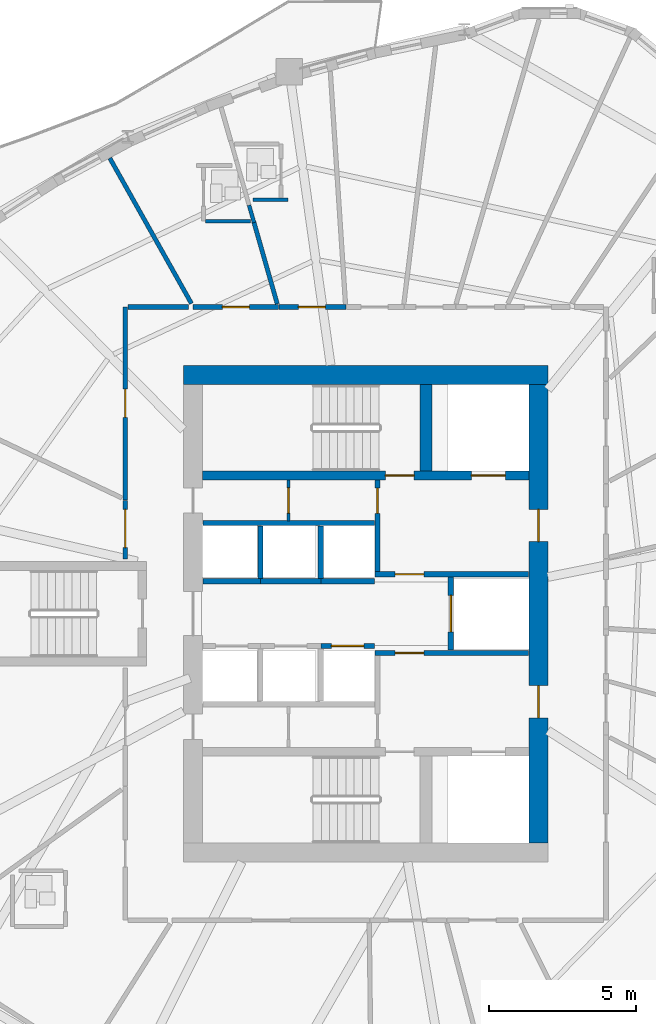
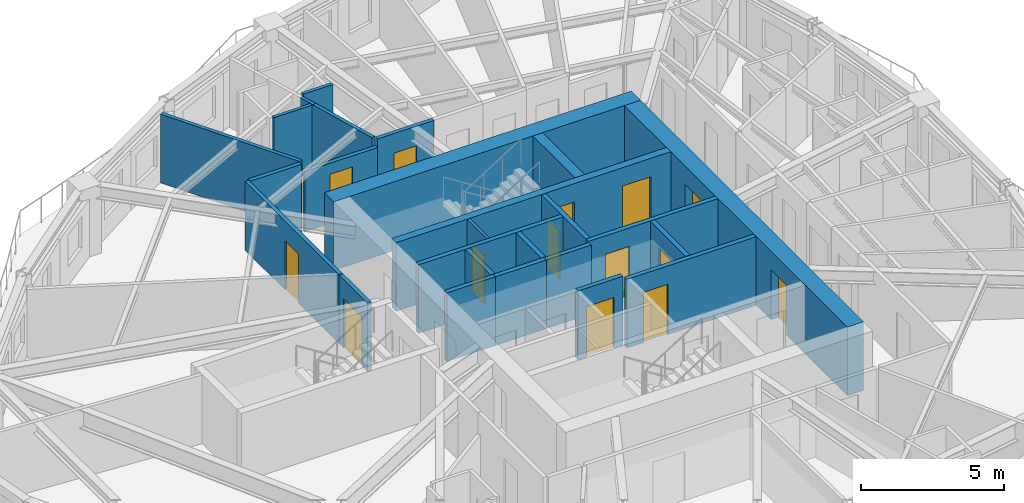
# One storey, part 8 of 17: 26 walls, 14 doors, 14 openings.
"""IFC4 building model written with IfcOpenShell, lengths in metres."""

from ifc_helpers import new_model, si_unit, direction, frame, frame_2d, origin, place, context, subcontext, project, spatial, rectangle, extrude, source, transform, mapped, material, layer, layer_set, type_object, element, fill, save


model = new_model("IFC4")

# Units and contexts
model_context = context("Model", 3, precision=1e-05, world=origin(), true_north=direction((0.0, 1.0)))
body_context = subcontext(model_context, "Body", "Model", "MODEL_VIEW")
ifc_project = project(units=[si_unit("LENGTHUNIT", "METRE"), si_unit("AREAUNIT", "SQUARE_METRE"), si_unit("VOLUMEUNIT", "CUBIC_METRE"), si_unit("PLANEANGLEUNIT", "RADIAN"), si_unit("MASSUNIT", "GRAM", prefix="KILO")], contexts=[model_context])

# Site, building, storey
site_placement = place(None, origin())
site = spatial("IfcSite", under=ifc_project, at=site_placement, CompositionType="ELEMENT")
building_placement = place(site_placement, origin())
building = spatial("IfcBuilding", under=site, at=building_placement, Name="Qafzar Sky-Pleat Residences", CompositionType="ELEMENT")
storey_placement = place(building_placement, frame((0.0, 0.0, 112.0)))
storey = spatial("IfcBuildingStorey", under=building, at=storey_placement, Name="L33", CompositionType="ELEMENT", Elevation=112.0)

# Wall, opening, door
ifc_material_1 = material(Name="Acoustic gypsum plasterboard partition", Category="gypsum")
ifc_layer_1 = layer(ifc_material_1, 0.159912109375)
ifc_layer_set_1 = layer_set([ifc_layer_1], Name="Acoustic gypsum plasterboard partition")
wall_type_1 = type_object("IfcWallType", Name="PART-COR-160", PredefinedType="PARTITIONING", material=ifc_layer_set_1)
wall_1_placement = place(storey_placement, frame((22.169921875, 29.864990234375, 0.0), z_axis=(0.0, 0.0, 1.0), x_axis=(0.0, 1.0, 0.0)))
wall_1 = element("IfcWall", 1, at=wall_1_placement, inside=storey, type_object=wall_type_1, Name="L33 Partition Wall PART-L33-PW-003", PredefinedType="PARTITIONING", context=body_context, shape_type="SweptSolid", body=[
    extrude(rectangle(XDim=6.56494140625, YDim=0.159912109375, at=frame_2d((3.282470703125, 0.0))), origin(), (0.0, 0.0, 1.0), 2.93505859375),
])
opening_1_placement = place(wall_1_placement, frame((2.810546875, 0.0, 0.0)))
opening_1 = element("IfcOpeningElement", 2, at=opening_1_placement, cuts=wall_1, Name="Opening ID-06", PredefinedType="OPENING", context=body_context, shape_type="SweptSolid", body=[
    extrude(rectangle(XDim=0.9599609375, YDim=2.10009765625, at=frame_2d((0.47998046875, 1.050048828125))), frame((0.0, 0.08984375, 0.0), z_axis=(0.0, -1.0, 0.0), x_axis=(1.0, 0.0, 0.0)), (0.0, 0.0, 1.0), 0.179931640625),
])
ifc_material_2 = material(Name="Timber-faced fire door", Category="wood")
door_type_1 = type_object("IfcDoorType", Name="DR-STD-960", OperationType="NOTDEFINED", PredefinedType="DOOR", material=ifc_material_2)
shared_shape_1 = source(origin(), body_context, "Body", "SweptSolid", [
    extrude(rectangle(XDim=0.9599609375, YDim=2.10009765625, at=frame_2d((0.47998046875, 1.050048828125))), frame((0.0, 0.02490234375, 0.0), z_axis=(0.0, -1.0, 0.0), x_axis=(1.0, 0.0, 0.0)), (0.0, 0.0, 1.0), 0.050048828125),
])
door_1_placement = place(opening_1_placement, origin())
door_1 = element("IfcDoor", 3, at=door_1_placement, inside=storey, type_object=door_type_1, Name="L33 Reading Library Door", OperationType="SINGLE_SWING_RIGHT", OverallHeight=2.10009765625, OverallWidth=0.9599609375, PredefinedType="DOOR", context=body_context, shape_type="MappedRepresentation", body=[
    mapped(shared_shape_1, transform((0.0, 0.0, 0.0), x_axis=(1.0, 0.0, 0.0), y_axis=(0.0, 1.0, 0.0), z_axis=(0.0, 0.0, 1.0), scale=1.0)),
])
fill(opening_1, door_1)

wall_2_placement = place(storey_placement, frame((24.47412109375, 36.429931640625, 0.0), z_axis=(0.0, 0.0, 1.0), x_axis=(1.0, 0.0, 0.0)))
wall_2 = element("IfcWall", 4, at=wall_2_placement, inside=storey, type_object=wall_type_1, Name="L33 Partition Wall PART-L33-PW-009", PredefinedType="PARTITIONING", context=body_context, shape_type="SweptSolid", body=[
    extrude(rectangle(XDim=2.913818359375, YDim=0.159912109375, at=frame_2d((1.45703125, 0.0))), origin(), (0.0, 0.0, 1.0), 2.572998046875),
])
opening_2_placement = place(wall_2_placement, frame((0.99755859375, 0.0, 0.0)))
opening_2 = element("IfcOpeningElement", 5, at=opening_2_placement, cuts=wall_2, Name="Opening ID-04", PredefinedType="OPENING", context=body_context, shape_type="SweptSolid", body=[
    extrude(rectangle(XDim=0.919921875, YDim=2.10009765625, at=frame_2d((0.4599609375, 1.050048828125))), frame((0.0, 0.08984375, 0.0), z_axis=(0.0, -1.0, 0.0), x_axis=(1.0, 0.0, 0.0)), (0.0, 0.0, 1.0), 0.179931640625),
])
door_type_2 = type_object("IfcDoorType", Name="DR-BED-920", OperationType="NOTDEFINED", PredefinedType="DOOR", material=ifc_material_2)
shared_shape_2 = source(origin(), body_context, "Body", "SweptSolid", [
    extrude(rectangle(XDim=0.919921875, YDim=2.10009765625, at=frame_2d((0.4599609375, 1.050048828125))), frame((0.0, 0.02490234375, 0.0), z_axis=(0.0, -1.0, 0.0), x_axis=(1.0, 0.0, 0.0)), (0.0, 0.0, 1.0), 0.050048828125),
])
door_2_placement = place(opening_2_placement, origin())
door_2 = element("IfcDoor", 6, at=door_2_placement, inside=storey, type_object=door_type_2, Name="L33 Co-Living Bedroom 5 Door", OperationType="SINGLE_SWING_LEFT", OverallHeight=2.10009765625, OverallWidth=0.919921875, PredefinedType="DOOR", context=body_context, shape_type="MappedRepresentation", body=[
    mapped(shared_shape_2, transform((0.0, 0.0, 0.0), x_axis=(1.0, 0.0, 0.0), y_axis=(0.0, 1.0, 0.0), z_axis=(0.0, 0.0, 1.0), scale=1.0)),
])
fill(opening_2, door_2)

wall_3_placement = place(storey_placement, frame((27.403076171875, 36.429931640625, 0.0), z_axis=(0.0, 0.0, 1.0), x_axis=(1.0, 0.0, 0.0)))
wall_3 = element("IfcWall", 7, at=wall_3_placement, inside=storey, type_object=wall_type_1, Name="L33 Partition Wall PART-L33-PW-015", PredefinedType="PARTITIONING", context=body_context, shape_type="SweptSolid", body=[
    extrude(rectangle(XDim=2.281982421875, YDim=0.159912109375, at=frame_2d((1.14111328125, 0.0))), origin(), (0.0, 0.0, 1.0), 2.93505859375),
])
opening_3_placement = place(wall_3_placement, frame((0.657958984375, 0.0, 0.0)))
opening_3 = element("IfcOpeningElement", 8, at=opening_3_placement, cuts=wall_3, Name="Opening ID-04", PredefinedType="OPENING", context=body_context, shape_type="SweptSolid", body=[
    extrude(rectangle(XDim=0.919921875, YDim=2.10009765625, at=frame_2d((0.4599609375, 1.050048828125))), frame((0.0, 0.08984375, 0.0), z_axis=(0.0, -1.0, 0.0), x_axis=(1.0, 0.0, 0.0)), (0.0, 0.0, 1.0), 0.179931640625),
])
door_3_placement = place(opening_3_placement, origin())
door_3 = element("IfcDoor", 9, at=door_3_placement, inside=storey, type_object=door_type_2, Name="L33 Co-Living Bedroom 6 Door", OperationType="SINGLE_SWING_RIGHT", OverallHeight=2.10009765625, OverallWidth=0.919921875, PredefinedType="DOOR", context=body_context, shape_type="MappedRepresentation", body=[
    mapped(shared_shape_2, transform((0.0, 0.0, 0.0), x_axis=(1.0, 0.0, 0.0), y_axis=(0.0, 1.0, 0.0), z_axis=(0.0, 0.0, 1.0), scale=1.0)),
])
fill(opening_3, door_3)

wall_4_placement = place(storey_placement, frame((22.169921875, 27.85009765625, 0.0), z_axis=(0.0, 0.0, 1.0), x_axis=(0.0, 1.0, 0.0)))
wall_4 = element("IfcWall", 10, at=wall_4_placement, inside=storey, type_object=wall_type_1, Name="L33 Partition Wall PART-L33-PW-017", PredefinedType="PARTITIONING", context=body_context, shape_type="SweptSolid", body=[
    extrude(rectangle(XDim=2.0, YDim=0.159912109375, at=frame_2d((1.0, 0.0))), origin(), (0.0, 0.0, 1.0), 2.93505859375),
])
opening_4_placement = place(wall_4_placement, frame((0.39501953125, 0.0, 0.0)))
opening_4 = element("IfcOpeningElement", 11, at=opening_4_placement, cuts=wall_4, Name="Opening ID-05", PredefinedType="OPENING", context=body_context, shape_type="SweptSolid", body=[
    extrude(rectangle(XDim=1.300048828125, YDim=2.10009765625, at=frame_2d((0.64990234375, 1.050048828125))), frame((0.0, 0.08984375, 0.0), z_axis=(0.0, -1.0, 0.0), x_axis=(1.0, 0.0, 0.0)), (0.0, 0.0, 1.0), 0.179931640625),
])
door_type_3 = type_object("IfcDoorType", Name="DR-LNG-1300", OperationType="DOUBLE_DOOR_SINGLE_SWING", PredefinedType="DOOR", material=ifc_material_2)
shared_shape_3 = source(origin(), body_context, "Body", "SweptSolid", [
    extrude(rectangle(XDim=1.300048828125, YDim=2.10009765625, at=frame_2d((0.64990234375, 1.050048828125))), frame((0.0, 0.02490234375, 0.0), z_axis=(0.0, -1.0, 0.0), x_axis=(1.0, 0.0, 0.0)), (0.0, 0.0, 1.0), 0.050048828125),
])
door_4_placement = place(opening_4_placement, origin())
door_4 = element("IfcDoor", 12, at=door_4_placement, inside=storey, type_object=door_type_3, Name="L33 Tutorial Huddle Room Door", OperationType="DOUBLE_DOOR_SINGLE_SWING", OverallHeight=2.10009765625, OverallWidth=1.300048828125, PredefinedType="DOOR", context=body_context, shape_type="MappedRepresentation", body=[
    mapped(shared_shape_3, transform((0.0, 0.0, 0.0), x_axis=(1.0, 0.0, 0.0), y_axis=(0.0, 1.0, 0.0), z_axis=(0.0, 0.0, 1.0), scale=1.0)),
])
fill(opening_4, door_4)

# Wall
wall_5_placement = place(storey_placement, frame((22.258056640625, 36.429931640625, 0.0), z_axis=(0.0, 0.0, 1.0), x_axis=(1.0, 0.0, 0.0)))
element("IfcWall", 13, at=wall_5_placement, inside=storey, type_object=wall_type_1, Name="L33 Partition Wall PART-L33-PW-054", PredefinedType="PARTITIONING", context=body_context, shape_type="SweptSolid", body=[
    extrude(rectangle(XDim=2.06494140625, YDim=0.159912109375, at=frame_2d((1.032470703125, 0.0))), origin(), (0.0, 0.0, 1.0), 2.93505859375),
])

# Wall, opening, door
ifc_material_3 = material(Name="Concrete blockwork partition", Category="masonry")
ifc_layer_2 = layer(ifc_material_3, 0.179931640625)
ifc_layer_set_2 = layer_set([ifc_layer_2], Name="Concrete blockwork partition")
wall_type_2 = type_object("IfcWallType", Name="PART-SHAFT-180", PredefinedType="PARTITIONING", material=ifc_layer_set_2)
wall_6_placement = place(storey_placement, frame((30.669921875, 24.659912109375, 0.0), z_axis=(0.0, 0.0, 1.0), x_axis=(1.0, 0.0, 0.0)))
wall_6 = element("IfcWall", 14, at=wall_6_placement, inside=storey, type_object=wall_type_2, Name="L33 Partition Wall PART-L33-FFL1-N", PredefinedType="PARTITIONING", context=body_context, shape_type="SweptSolid", body=[
    extrude(rectangle(XDim=5.219970703125, YDim=0.179931640625, at=frame_2d((2.60986328125, 0.0))), origin(), (0.0, 0.0, 1.0), 2.93505859375),
])
opening_5_placement = place(wall_6_placement, frame((0.679931640625, 0.0, 0.0)))
opening_5 = element("IfcOpeningElement", 15, at=opening_5_placement, cuts=wall_6, Name="Opening ID-01", PredefinedType="OPENING", context=body_context, shape_type="SweptSolid", body=[
    extrude(rectangle(XDim=0.97998046875, YDim=2.14990234375, at=frame_2d((0.489990234375, 1.074951171875))), frame((0.0, 0.10009765625, 0.0), z_axis=(0.0, -1.0, 0.0), x_axis=(1.0, 0.0, 0.0)), (0.0, 0.0, 1.0), 0.199951171875),
])
door_type_4 = type_object("IfcDoorType", Name="DR-STAIR-980", OperationType="NOTDEFINED", PredefinedType="DOOR", material=ifc_material_2)
shared_shape_4 = source(origin(), body_context, "Body", "SweptSolid", [
    extrude(rectangle(XDim=0.97998046875, YDim=2.14990234375, at=frame_2d((0.489990234375, 1.074951171875))), frame((0.0, 0.02490234375, 0.0), z_axis=(0.0, -1.0, 0.0), x_axis=(1.0, 0.0, 0.0)), (0.0, 0.0, 1.0), 0.050048828125),
])
door_5_placement = place(opening_5_placement, origin())
door_5 = element("IfcDoor", 16, at=door_5_placement, inside=storey, type_object=door_type_4, Name="L33 Lift Lobby to South Firefighting Lobby Door", OperationType="SINGLE_SWING_LEFT", OverallHeight=2.14990234375, OverallWidth=0.97998046875, PredefinedType="DOOR", context=body_context, shape_type="MappedRepresentation", body=[
    mapped(shared_shape_4, transform((0.0, 0.0, 0.0), x_axis=(1.0, 0.0, 0.0), y_axis=(0.0, 1.0, 0.0), z_axis=(0.0, 0.0, 1.0), scale=1.0)),
])
fill(opening_5, door_5)

wall_7_placement = place(storey_placement, frame((30.75, 27.429931640625, 0.0), z_axis=(0.0, 0.0, 1.0), x_axis=(0.0, 1.0, 0.0)))
wall_7 = element("IfcWall", 17, at=wall_7_placement, inside=storey, type_object=wall_type_2, Name="L33 Partition Wall PART-L33-FFL2-W", PredefinedType="PARTITIONING", context=body_context, shape_type="SweptSolid", body=[
    extrude(rectangle(XDim=3.110107421875, YDim=0.179931640625, at=frame_2d((1.55517578125, 0.0))), origin(), (0.0, 0.0, 1.0), 2.93505859375),
])
opening_6_placement = place(wall_7_placement, frame((1.97998046875, 0.0, 0.0)))
opening_6 = element("IfcOpeningElement", 18, at=opening_6_placement, cuts=wall_7, Name="Opening ID-09", PredefinedType="OPENING", context=body_context, shape_type="SweptSolid", body=[
    extrude(rectangle(XDim=0.860107421875, YDim=2.050048828125, at=frame_2d((0.43017578125, 1.02490234375))), frame((0.0, 0.10009765625, 0.0), z_axis=(0.0, -1.0, 0.0), x_axis=(1.0, 0.0, 0.0)), (0.0, 0.0, 1.0), 0.199951171875),
])
door_type_5 = type_object("IfcDoorType", Name="DR-SVC-860", OperationType="NOTDEFINED", PredefinedType="DOOR", material=ifc_material_2)
shared_shape_5 = source(origin(), body_context, "Body", "SweptSolid", [
    extrude(rectangle(XDim=0.860107421875, YDim=2.050048828125, at=frame_2d((0.43017578125, 1.02490234375))), frame((0.0, 0.02490234375, 0.0), z_axis=(0.0, -1.0, 0.0), x_axis=(1.0, 0.0, 0.0)), (0.0, 0.0, 1.0), 0.050048828125),
])
door_6_placement = place(opening_6_placement, origin())
door_6 = element("IfcDoor", 19, at=door_6_placement, inside=storey, type_object=door_type_5, Name="L33 North Core Cupboard Door", OperationType="SINGLE_SWING_RIGHT", OverallHeight=2.050048828125, OverallWidth=0.860107421875, PredefinedType="DOOR", context=body_context, shape_type="MappedRepresentation", body=[
    mapped(shared_shape_5, transform((0.0, 0.0, 0.0), x_axis=(1.0, 0.0, 0.0), y_axis=(0.0, 1.0, 0.0), z_axis=(0.0, 0.0, 1.0), scale=1.0)),
])
fill(opening_6, door_6)

wall_8_placement = place(storey_placement, frame((30.669921875, 27.340087890625, 0.0), z_axis=(0.0, 0.0, 1.0), x_axis=(1.0, 0.0, 0.0)))
wall_8 = element("IfcWall", 20, at=wall_8_placement, inside=storey, type_object=wall_type_2, Name="L33 Partition Wall PART-L33-FFL2-S", PredefinedType="PARTITIONING", context=body_context, shape_type="SweptSolid", body=[
    extrude(rectangle(XDim=5.219970703125, YDim=0.179931640625, at=frame_2d((2.60986328125, 0.0))), origin(), (0.0, 0.0, 1.0), 2.93505859375),
])
opening_7_placement = place(wall_8_placement, frame((0.679931640625, 0.0, 0.0)))
opening_7 = element("IfcOpeningElement", 21, at=opening_7_placement, cuts=wall_8, Name="Opening ID-01", PredefinedType="OPENING", context=body_context, shape_type="SweptSolid", body=[
    extrude(rectangle(XDim=0.97998046875, YDim=2.14990234375, at=frame_2d((0.489990234375, 1.074951171875))), frame((0.0, 0.10009765625, 0.0), z_axis=(0.0, -1.0, 0.0), x_axis=(1.0, 0.0, 0.0)), (0.0, 0.0, 1.0), 0.199951171875),
])
door_7_placement = place(opening_7_placement, origin())
door_7 = element("IfcDoor", 22, at=door_7_placement, inside=storey, type_object=door_type_4, Name="L33 Lift Lobby to North Firefighting Lobby Door", OperationType="SINGLE_SWING_LEFT", OverallHeight=2.14990234375, OverallWidth=0.97998046875, PredefinedType="DOOR", context=body_context, shape_type="MappedRepresentation", body=[
    mapped(shared_shape_4, transform((0.0, 0.0, 0.0), x_axis=(1.0, 0.0, 0.0), y_axis=(0.0, 1.0, 0.0), z_axis=(0.0, 0.0, 1.0), scale=1.0)),
])
fill(opening_7, door_7)

wall_9_placement = place(storey_placement, frame((33.25, 24.760009765625, 0.0), z_axis=(0.0, 0.0, 1.0), x_axis=(0.0, 1.0, 0.0)))
wall_9 = element("IfcWall", 23, at=wall_9_placement, inside=storey, type_object=wall_type_2, Name="L33 Partition Wall PART-L33-SV1-W", PredefinedType="PARTITIONING", context=body_context, shape_type="SweptSolid", body=[
    extrude(rectangle(XDim=2.47998046875, YDim=0.179931640625, at=frame_2d((1.239990234375, 0.0))), origin(), (0.0, 0.0, 1.0), 2.93505859375),
])
opening_8_placement = place(wall_9_placement, frame((0.614990234375, 0.0, 0.0)))
opening_8 = element("IfcOpeningElement", 24, at=opening_8_placement, cuts=wall_9, Name="Opening LD-03", PredefinedType="OPENING", context=body_context, shape_type="SweptSolid", body=[
    extrude(rectangle(XDim=1.25, YDim=2.14990234375, at=frame_2d((0.625, 1.074951171875))), frame((0.0, 0.10009765625, 0.0), z_axis=(0.0, -1.0, 0.0), x_axis=(1.0, 0.0, 0.0)), (0.0, 0.0, 1.0), 0.199951171875),
])
ifc_material_4 = material(Name="Stainless steel sliding landing door", Category="steel")
door_type_6 = type_object("IfcDoorType", Name="DR-LIFT-SV", OperationType="DOUBLE_DOOR_SLIDING", PredefinedType="DOOR", material=ifc_material_4)
shared_shape_6 = source(origin(), body_context, "Body", "SweptSolid", [
    extrude(rectangle(XDim=1.25, YDim=2.14990234375, at=frame_2d((0.625, 1.074951171875))), frame((0.0, 0.02490234375, 0.0), z_axis=(0.0, -1.0, 0.0), x_axis=(1.0, 0.0, 0.0)), (0.0, 0.0, 1.0), 0.050048828125),
])
door_8_placement = place(opening_8_placement, origin())
door_8 = element("IfcDoor", 25, at=door_8_placement, inside=storey, type_object=door_type_6, Name="L33 Service Lift SV1 Landing Door", OperationType="DOUBLE_DOOR_SLIDING", OverallHeight=2.14990234375, OverallWidth=1.25, PredefinedType="DOOR", context=body_context, shape_type="MappedRepresentation", body=[
    mapped(shared_shape_6, transform((0.0, 0.0, 0.0), x_axis=(1.0, 0.0, 0.0), y_axis=(0.0, 1.0, 0.0), z_axis=(0.0, 0.0, 1.0), scale=1.0)),
])
fill(opening_8, door_8)

wall_10_placement = place(storey_placement, frame((28.824951171875, 24.89990234375, 0.0), z_axis=(0.0, 0.0, 1.0), x_axis=(1.0, 0.0, 0.0)))
wall_10 = element("IfcWall", 26, at=wall_10_placement, inside=storey, type_object=wall_type_2, Name="L33 Partition Wall PART-L33-P3-N", PredefinedType="PARTITIONING", context=body_context, shape_type="SweptSolid", body=[
    extrude(rectangle(XDim=1.824951171875, YDim=0.179931640625, at=frame_2d((0.91259765625, 0.0))), origin(), (0.0, 0.0, 1.0), 2.93505859375),
])
opening_9_placement = place(wall_10_placement, frame((0.362548828125, 0.0, 0.0)))
opening_9 = element("IfcOpeningElement", 27, at=opening_9_placement, cuts=wall_10, Name="Opening LD-01", PredefinedType="OPENING", context=body_context, shape_type="SweptSolid", body=[
    extrude(rectangle(XDim=1.10009765625, YDim=2.14990234375, at=frame_2d((0.550048828125, 1.074951171875))), frame((0.0, 0.10009765625, 0.0), z_axis=(0.0, -1.0, 0.0), x_axis=(1.0, 0.0, 0.0)), (0.0, 0.0, 1.0), 0.199951171875),
])
door_type_7 = type_object("IfcDoorType", Name="DR-LIFT-P", OperationType="DOUBLE_DOOR_SLIDING", PredefinedType="DOOR", material=ifc_material_4)
shared_shape_7 = source(origin(), body_context, "Body", "SweptSolid", [
    extrude(rectangle(XDim=1.10009765625, YDim=2.14990234375, at=frame_2d((0.550048828125, 1.074951171875))), frame((0.0, 0.02490234375, 0.0), z_axis=(0.0, -1.0, 0.0), x_axis=(1.0, 0.0, 0.0)), (0.0, 0.0, 1.0), 0.050048828125),
])
door_9_placement = place(opening_9_placement, origin())
door_9 = element("IfcDoor", 28, at=door_9_placement, inside=storey, type_object=door_type_7, Name="L33 Passenger Lift P3 Landing Door", OperationType="DOUBLE_DOOR_SLIDING", OverallHeight=2.14990234375, OverallWidth=1.10009765625, PredefinedType="DOOR", context=body_context, shape_type="MappedRepresentation", body=[
    mapped(shared_shape_7, transform((0.0, 0.0, 0.0), x_axis=(1.0, 0.0, 0.0), y_axis=(0.0, 1.0, 0.0), z_axis=(0.0, 0.0, 1.0), scale=1.0)),
])
fill(opening_9, door_9)

# Walls
wall_11_placement = place(storey_placement, frame((24.81005859375, 29.080078125, 0.0), z_axis=(0.0, 0.0, 1.0), x_axis=(1.0, 0.0, 0.0)))
element("IfcWall", 29, at=wall_11_placement, inside=storey, type_object=wall_type_2, Name="L33 Partition Wall PART-L33-P46-N", PredefinedType="PARTITIONING", context=body_context, shape_type="SweptSolid", body=[
    extrude(rectangle(XDim=5.83984375, YDim=0.179931640625, at=frame_2d((2.919921875, 0.0))), origin(), (0.0, 0.0, 1.0), 2.93505859375),
])
wall_12_placement = place(storey_placement, frame((24.81005859375, 27.10009765625, 0.0), z_axis=(0.0, 0.0, 1.0), x_axis=(1.0, 0.0, 0.0)))
element("IfcWall", 30, at=wall_12_placement, inside=storey, type_object=wall_type_2, Name="L33 Partition Wall PART-L33-P4-S", PredefinedType="PARTITIONING", context=body_context, shape_type="SweptSolid", body=[
    extrude(rectangle(XDim=1.96484375, YDim=0.179931640625, at=frame_2d((0.982421875, 0.0))), origin(), (0.0, 0.0, 1.0), 2.93505859375),
])
wall_13_placement = place(storey_placement, frame((26.77490234375, 27.10009765625, 0.0), z_axis=(0.0, 0.0, 1.0), x_axis=(1.0, 0.0, 0.0)))
element("IfcWall", 31, at=wall_13_placement, inside=storey, type_object=wall_type_2, Name="L33 Partition Wall PART-L33-P5-S", PredefinedType="PARTITIONING", context=body_context, shape_type="SweptSolid", body=[
    extrude(rectangle(XDim=2.050048828125, YDim=0.179931640625, at=frame_2d((1.02490234375, 0.0))), origin(), (0.0, 0.0, 1.0), 2.93505859375),
])
wall_14_placement = place(storey_placement, frame((26.77490234375, 27.199951171875, 0.0), z_axis=(0.0, 0.0, 1.0), x_axis=(0.0, 1.0, 0.0)))
element("IfcWall", 32, at=wall_14_placement, inside=storey, type_object=wall_type_2, Name="L33 Partition Wall PART-L33-P46-DIV-1", PredefinedType="PARTITIONING", context=body_context, shape_type="SweptSolid", body=[
    extrude(rectangle(XDim=1.780029296875, YDim=0.179931640625, at=frame_2d((0.89013671875, 0.0))), origin(), (0.0, 0.0, 1.0), 2.93505859375),
])
wall_15_placement = place(storey_placement, frame((28.824951171875, 27.10009765625, 0.0), z_axis=(0.0, 0.0, 1.0), x_axis=(1.0, 0.0, 0.0)))
element("IfcWall", 33, at=wall_15_placement, inside=storey, type_object=wall_type_2, Name="L33 Partition Wall PART-L33-P6-S", PredefinedType="PARTITIONING", context=body_context, shape_type="SweptSolid", body=[
    extrude(rectangle(XDim=1.824951171875, YDim=0.179931640625, at=frame_2d((0.91259765625, 0.0))), origin(), (0.0, 0.0, 1.0), 2.93505859375),
])
wall_16_placement = place(storey_placement, frame((28.824951171875, 27.199951171875, 0.0), z_axis=(0.0, 0.0, 1.0), x_axis=(0.0, 1.0, 0.0)))
element("IfcWall", 34, at=wall_16_placement, inside=storey, type_object=wall_type_2, Name="L33 Partition Wall PART-L33-P46-DIV-2", PredefinedType="PARTITIONING", context=body_context, shape_type="SweptSolid", body=[
    extrude(rectangle(XDim=1.780029296875, YDim=0.179931640625, at=frame_2d((0.89013671875, 0.0))), origin(), (0.0, 0.0, 1.0), 2.93505859375),
])

# Wall, opening, door
ifc_material_5 = material(Name="Gypsum plasterboard partition", Category="gypsum")
ifc_layer_3 = layer(ifc_material_5, 0.114990234375)
ifc_layer_set_3 = layer_set([ifc_layer_3], Name="Gypsum plasterboard partition")
wall_type_3 = type_object("IfcWallType", Name="PART-SVC-115", PredefinedType="PARTITIONING", material=ifc_layer_set_3)
wall_17_placement = place(storey_placement, frame((27.72509765625, 29.159912109375, 0.0), z_axis=(0.0, 0.0, 1.0), x_axis=(0.0, 1.0, 0.0)))
wall_17 = element("IfcWall", 35, at=wall_17_placement, inside=storey, type_object=wall_type_3, Name="L33 Partition Wall PART-L33-KB-NW", PredefinedType="PARTITIONING", context=body_context, shape_type="SweptSolid", body=[
    extrude(rectangle(XDim=1.380126953125, YDim=0.114990234375, at=frame_2d((0.68994140625, 0.0))), origin(), (0.0, 0.0, 1.0), 2.93505859375),
])
opening_10_placement = place(wall_17_placement, frame((0.260009765625, 0.0, 0.0)))
opening_10 = element("IfcOpeningElement", 36, at=opening_10_placement, cuts=wall_17, Name="Opening ID-09", PredefinedType="OPENING", context=body_context, shape_type="SweptSolid", body=[
    extrude(rectangle(XDim=0.860107421875, YDim=2.050048828125, at=frame_2d((0.43017578125, 1.02490234375))), frame((0.0, 0.0673828125, 0.0), z_axis=(0.0, -1.0, 0.0), x_axis=(1.0, 0.0, 0.0)), (0.0, 0.0, 1.0), 0.135009765625),
])
door_10_placement = place(opening_10_placement, origin())
door_10 = element("IfcDoor", 37, at=door_10_placement, inside=storey, type_object=door_type_5, Name="L33 IT Cupboard Door", OperationType="SINGLE_SWING_LEFT", OverallHeight=2.050048828125, OverallWidth=0.860107421875, PredefinedType="DOOR", context=body_context, shape_type="MappedRepresentation", body=[
    mapped(shared_shape_5, transform((0.0, 0.0, 0.0), x_axis=(1.0, 0.0, 0.0), y_axis=(0.0, 1.0, 0.0), z_axis=(0.0, 0.0, 1.0), scale=1.0)),
])
fill(opening_10, door_10)

# Walls
ifc_layer_4 = layer(ifc_material_1, 0.14501953125)
ifc_layer_set_4 = layer_set([ifc_layer_4], Name="Acoustic gypsum plasterboard partition")
wall_type_4 = type_object("IfcWallType", Name="PART-UNIT-145", PredefinedType="PARTITIONING", material=ifc_layer_set_4)
wall_18_placement = place(storey_placement, frame((21.645263671875, 41.49658203125, 0.0), z_axis=(0.0, 0.0, 1.0), x_axis=(0.489699005063, -0.871891555436, 0.0)))
element("IfcWall", 38, at=wall_18_placement, inside=storey, type_object=wall_type_4, Name="L33 Partition Wall PART-L33-PW-043", PredefinedType="PARTITIONING", context=body_context, shape_type="SweptSolid", body=[
    extrude(rectangle(XDim=5.670654296875, YDim=0.14501953125, at=frame_2d((2.83544921875, 0.0))), origin(), (0.0, 0.0, 1.0), 2.93505859375),
])
wall_19_placement = place(storey_placement, frame((26.5390625, 39.35107421875, 0.0), z_axis=(0.0, 0.0, 1.0), x_axis=(0.274214096408, -0.961668669205, 0.0)))
element("IfcWall", 39, at=wall_19_placement, inside=storey, type_object=wall_type_4, Name="L33 Partition Wall PART-L33-PW-050", PredefinedType="PARTITIONING", context=body_context, shape_type="SweptSolid", body=[
    extrude(rectangle(XDim=2.925537109375, YDim=0.14501953125, at=frame_2d((1.462890625, 0.0))), origin(), (0.0, 0.0, 1.0), 2.93505859375),
])
ifc_material_6 = material(Name="Moisture-resistant gypsum partition", Category="gypsum")
ifc_layer_5 = layer(ifc_material_6, 0.1298828125)
ifc_layer_set_5 = layer_set([ifc_layer_5], Name="Moisture-resistant gypsum partition")
wall_type_5 = type_object("IfcWallType", Name="PART-WET-130", PredefinedType="PARTITIONING", material=ifc_layer_set_5)
wall_20_placement = place(storey_placement, frame((24.904052734375, 39.35107421875, 0.0), z_axis=(0.0, 0.0, 1.0), x_axis=(1.0, 0.0, 0.0)))
element("IfcWall", 40, at=wall_20_placement, inside=storey, type_object=wall_type_5, Name="L33 Partition Wall PART-L33-PW-065", PredefinedType="PARTITIONING", context=body_context, shape_type="SweptSolid", body=[
    extrude(rectangle(XDim=1.532958984375, YDim=0.1298828125, at=frame_2d((0.7666015625, 0.0))), origin(), (0.0, 0.0, 1.0), 2.93505859375),
])
wall_21_placement = place(storey_placement, frame((26.52001953125, 40.0810546875, 0.0), z_axis=(0.0, 0.0, 1.0), x_axis=(1.0, 0.0, 0.0)))
element("IfcWall", 41, at=wall_21_placement, inside=storey, type_object=wall_type_5, Name="L33 Partition Wall PART-L33-PW-085", PredefinedType="PARTITIONING", context=body_context, shape_type="SweptSolid", body=[
    extrude(rectangle(XDim=1.18994140625, YDim=0.1298828125, at=frame_2d((0.594970703125, 0.0))), origin(), (0.0, 0.0, 1.0), 2.93505859375),
])
wall_22_placement = place(storey_placement, frame((26.382568359375, 39.89794921875, 0.0), z_axis=(0.0, 0.0, 1.0), x_axis=(0.274982401426, -0.961449259663, 0.0)))
element("IfcWall", 42, at=wall_22_placement, inside=storey, type_object=wall_type_5, Name="L33 Partition Wall PART-L33-PW-089", PredefinedType="PARTITIONING", context=body_context, shape_type="SweptSolid", body=[
    extrude(rectangle(XDim=0.616943359375, YDim=0.1298828125, at=frame_2d((0.30859375, 0.0))), origin(), (0.0, 0.0, 1.0), 2.93505859375),
])

# Wall, openings, doors
ifc_material_7 = material(Name="Concrete C60/75", Category="concrete")
ifc_layer_6 = layer(ifc_material_7, 0.300048828125)
ifc_layer_set_6 = layer_set([ifc_layer_6], Name="Concrete C60/75")
wall_type_6 = type_object("IfcWallType", Name="WALL-SHEAR-300", PredefinedType="SHEAR", material=ifc_layer_set_6)
wall_23_placement = place(storey_placement, frame((24.800048828125, 30.699951171875, 0.0), z_axis=(0.0, 0.0, 1.0), x_axis=(1.0, 0.0, 0.0)))
wall_23 = element("IfcWall", 43, at=wall_23_placement, inside=storey, type_object=wall_type_6, Name="L33 Stair ST2 and FF2 Shaft South Wall", PredefinedType="SHEAR", context=body_context, shape_type="SweptSolid", body=[
    extrude(rectangle(XDim=11.099853515625, YDim=0.300048828125, at=frame_2d((5.5498046875, 0.0))), origin(), (0.0, 0.0, 1.0), 2.93505859375),
])
opening_11_placement = place(wall_23_placement, frame((6.219970703125, 0.0, 0.0)))
opening_11 = element("IfcOpeningElement", 44, at=opening_11_placement, cuts=wall_23, Name="Opening ID-01", PredefinedType="OPENING", context=body_context, shape_type="SweptSolid", body=[
    extrude(rectangle(XDim=0.97998046875, YDim=2.14990234375, at=frame_2d((0.489990234375, 1.074951171875))), frame((0.0, 0.16015625, 0.0), z_axis=(0.0, -1.0, 0.0), x_axis=(1.0, 0.0, 0.0)), (0.0, 0.0, 1.0), 0.320068359375),
])
opening_12_placement = place(wall_23_placement, frame((9.14990234375, 0.0, 0.0)))
opening_12 = element("IfcOpeningElement", 45, at=opening_12_placement, cuts=wall_23, Name="Opening LD-02", PredefinedType="OPENING", context=body_context, shape_type="SweptSolid", body=[
    extrude(rectangle(XDim=1.14990234375, YDim=2.14990234375, at=frame_2d((0.574951171875, 1.074951171875))), frame((0.0, 0.16015625, 0.0), z_axis=(0.0, -1.0, 0.0), x_axis=(1.0, 0.0, 0.0)), (0.0, 0.0, 1.0), 0.320068359375),
])
door_11_placement = place(opening_11_placement, origin())
door_11 = element("IfcDoor", 46, at=door_11_placement, inside=storey, type_object=door_type_4, Name="L33 Stair ST2 Fire Door", OperationType="SINGLE_SWING_RIGHT", OverallHeight=2.14990234375, OverallWidth=0.97998046875, PredefinedType="DOOR", context=body_context, shape_type="MappedRepresentation", body=[
    mapped(shared_shape_4, transform((0.0, 0.0, 0.0), x_axis=(1.0, 0.0, 0.0), y_axis=(0.0, 1.0, 0.0), z_axis=(0.0, 0.0, 1.0), scale=1.0)),
])
fill(opening_11, door_11)
door_type_8 = type_object("IfcDoorType", Name="DR-LIFT-FF", OperationType="DOUBLE_DOOR_SLIDING", PredefinedType="DOOR", material=ifc_material_4)
shared_shape_8 = source(origin(), body_context, "Body", "SweptSolid", [
    extrude(rectangle(XDim=1.14990234375, YDim=2.14990234375, at=frame_2d((0.574951171875, 1.074951171875))), frame((0.0, 0.02490234375, 0.0), z_axis=(0.0, -1.0, 0.0), x_axis=(1.0, 0.0, 0.0)), (0.0, 0.0, 1.0), 0.050048828125),
])
door_12_placement = place(opening_12_placement, origin())
door_12 = element("IfcDoor", 47, at=door_12_placement, inside=storey, type_object=door_type_8, Name="L33 Firefighting Lift FF2 Landing Door", OperationType="DOUBLE_DOOR_SLIDING", OverallHeight=2.14990234375, OverallWidth=1.14990234375, PredefinedType="DOOR", context=body_context, shape_type="MappedRepresentation", body=[
    mapped(shared_shape_8, transform((0.0, 0.0, 0.0), x_axis=(1.0, 0.0, 0.0), y_axis=(0.0, 1.0, 0.0), z_axis=(0.0, 0.0, 1.0), scale=1.0)),
])
fill(opening_12, door_12)

# Walls
ifc_layer_7 = layer(ifc_material_7, 0.39990234375)
ifc_layer_set_7 = layer_set([ifc_layer_7], Name="Concrete C60/75")
wall_type_7 = type_object("IfcWallType", Name="WALL-SHEAR-400", PredefinedType="SHEAR", material=ifc_layer_set_7)
wall_24_placement = place(storey_placement, frame((32.39990234375, 30.85009765625, 0.0), z_axis=(0.0, 0.0, 1.0), x_axis=(0.0, 1.0, 0.0)))
element("IfcWall", 48, at=wall_24_placement, inside=storey, type_object=wall_type_7, Name="L33 Stair ST2 East Dividing Wall", PredefinedType="SHEAR", context=body_context, shape_type="SweptSolid", body=[
    extrude(rectangle(XDim=2.949951171875, YDim=0.39990234375, at=frame_2d((1.47509765625, 0.0))), origin(), (0.0, 0.0, 1.0), 2.93505859375),
])
ifc_layer_8 = layer(ifc_material_7, 0.64990234375)
ifc_layer_set_8 = layer_set([ifc_layer_8], Name="Concrete C60/75")
wall_type_8 = type_object("IfcWallType", Name="WALL-SHEAR-650", PredefinedType="SHEAR", material=ifc_layer_set_8)
wall_25_placement = place(storey_placement, frame((36.550048828125, 34.125, 0.0), z_axis=(0.0, 0.0, 1.0), x_axis=(-1.0, 0.0, 0.0)))
element("IfcWall", 49, at=wall_25_placement, inside=storey, type_object=wall_type_8, Name="L33 CORE wall N", PredefinedType="SHEAR", context=body_context, shape_type="SweptSolid", body=[
    extrude(rectangle(XDim=12.400146484375, YDim=0.64990234375, at=frame_2d((6.2001953125, 0.0))), origin(), (0.0, 0.0, 1.0), 2.93505859375),
])

# Wall, openings, doors
wall_26_placement = place(storey_placement, frame((36.22509765625, 18.199951171875, 0.0), z_axis=(0.0, 0.0, 1.0), x_axis=(0.0, 1.0, 0.0)))
wall_26 = element("IfcWall", 50, at=wall_26_placement, inside=storey, type_object=wall_type_8, Name="L33 CORE wall E", PredefinedType="SHEAR", context=body_context, shape_type="SweptSolid", body=[
    extrude(rectangle(XDim=15.60009765625, YDim=0.64990234375, at=frame_2d((7.800048828125, 0.0))), origin(), (0.0, 0.0, 1.0), 2.93505859375),
])
opening_13_placement = place(wall_26_placement, frame((4.25, 0.0, 0.0)))
opening_13 = element("IfcOpeningElement", 51, at=opening_13_placement, cuts=wall_26, Name="Opening ID-02", PredefinedType="OPENING", context=body_context, shape_type="SweptSolid", body=[
    extrude(rectangle(XDim=1.10009765625, YDim=2.14990234375, at=frame_2d((0.550048828125, 1.074951171875))), frame((0.0, 0.3349609375, 0.0), z_axis=(0.0, -1.0, 0.0), x_axis=(1.0, 0.0, 0.0)), (0.0, 0.0, 1.0), 0.669921875),
])
opening_14_placement = place(wall_26_placement, frame((10.25, 0.0, 0.0)))
opening_14 = element("IfcOpeningElement", 52, at=opening_14_placement, cuts=wall_26, Name="Opening ID-02", PredefinedType="OPENING", context=body_context, shape_type="SweptSolid", body=[
    extrude(rectangle(XDim=1.10009765625, YDim=2.14990234375, at=frame_2d((0.550048828125, 1.074951171875))), frame((0.0, 0.3349609375, 0.0), z_axis=(0.0, -1.0, 0.0), x_axis=(1.0, 0.0, 0.0)), (0.0, 0.0, 1.0), 0.669921875),
])
door_type_9 = type_object("IfcDoorType", Name="DR-FFL-1100", OperationType="NOTDEFINED", PredefinedType="DOOR", material=ifc_material_2)
door_13_placement = place(opening_13_placement, origin())
door_13 = element("IfcDoor", 53, at=door_13_placement, inside=storey, type_object=door_type_9, Name="L33 Firefighting Lobby South Corridor Door", OperationType="SINGLE_SWING_RIGHT", OverallHeight=2.14990234375, OverallWidth=1.10009765625, PredefinedType="DOOR", context=body_context, shape_type="MappedRepresentation", body=[
    mapped(shared_shape_7, transform((0.0, 0.0, 0.0), x_axis=(1.0, 0.0, 0.0), y_axis=(0.0, 1.0, 0.0), z_axis=(0.0, 0.0, 1.0), scale=1.0)),
])
fill(opening_13, door_13)
door_14_placement = place(opening_14_placement, origin())
door_14 = element("IfcDoor", 54, at=door_14_placement, inside=storey, type_object=door_type_9, Name="L33 Firefighting Lobby North Corridor Door", OperationType="SINGLE_SWING_LEFT", OverallHeight=2.14990234375, OverallWidth=1.10009765625, PredefinedType="DOOR", context=body_context, shape_type="MappedRepresentation", body=[
    mapped(shared_shape_7, transform((0.0, 0.0, 0.0), x_axis=(1.0, 0.0, 0.0), y_axis=(0.0, 1.0, 0.0), z_axis=(0.0, 0.0, 1.0), scale=1.0)),
])
fill(opening_14, door_14)

save(model, "model.ifc")
